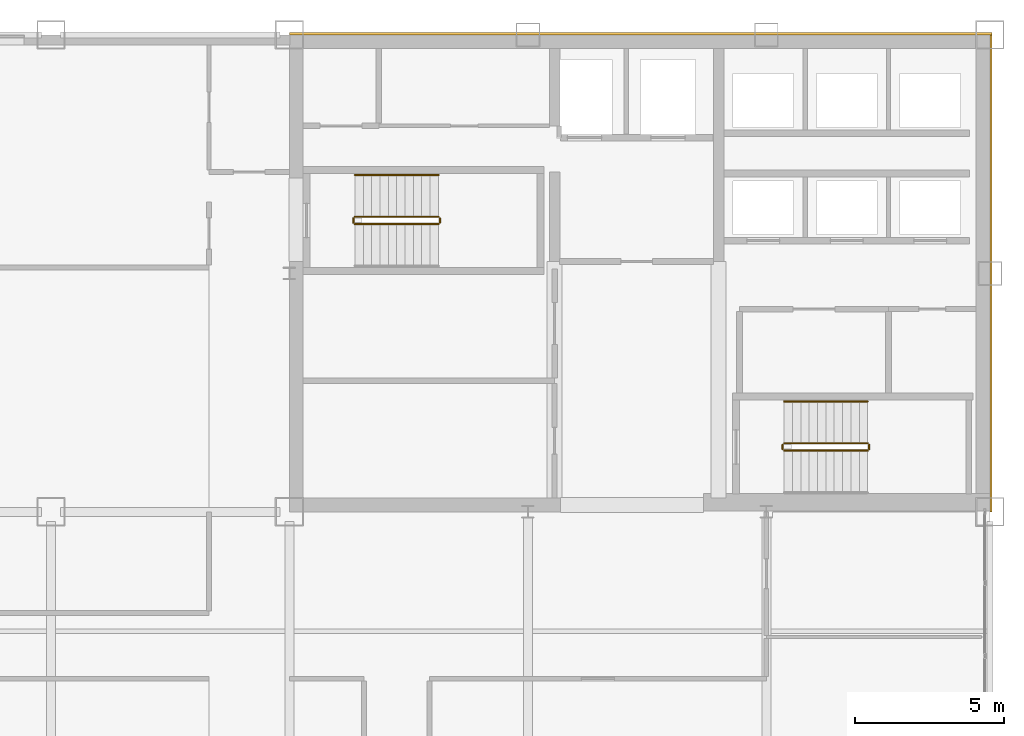
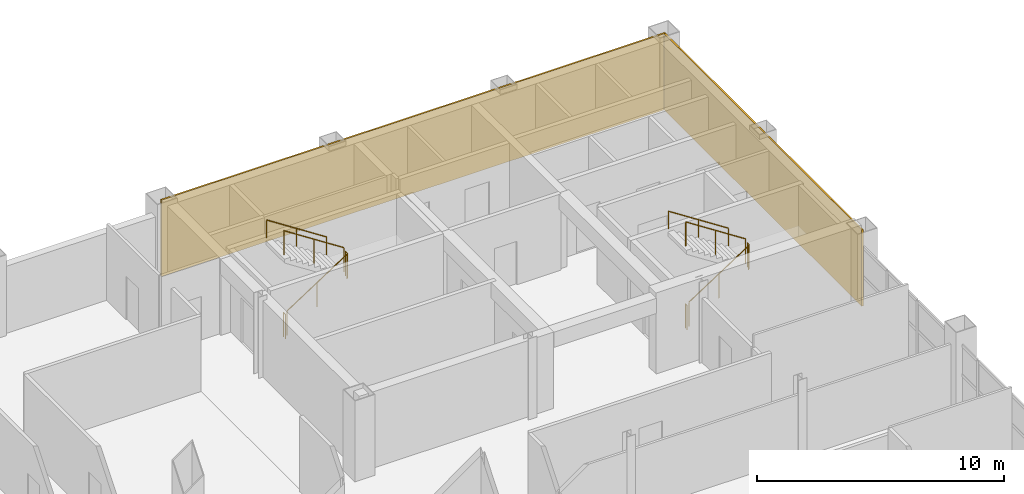
# One storey, part 12 of 12: 10 railings, 2 coverings.
"""IFC4 building model written with IfcOpenShell, lengths in metres."""

from ifc_helpers import new_model, si_unit, direction, frame, origin, origin_2d, place, context, subcontext, project, spatial, rectangle, circle, extrude, material, layer, layer_set, type_object, element, save


model = new_model("IFC4")

# Units and contexts
model_context = context("Model", 3, precision=1e-05, world=origin(), true_north=direction((0.0, 1.0)))
body_context = subcontext(model_context, "Body", "Model", "MODEL_VIEW")
ifc_project = project(units=[si_unit("LENGTHUNIT", "METRE"), si_unit("AREAUNIT", "SQUARE_METRE"), si_unit("VOLUMEUNIT", "CUBIC_METRE"), si_unit("PLANEANGLEUNIT", "RADIAN"), si_unit("MASSUNIT", "GRAM", prefix="KILO")], contexts=[model_context])

# Site, building, storey
site_placement = place(None, origin())
site = spatial("IfcSite", under=ifc_project, at=site_placement, CompositionType="ELEMENT")
building_placement = place(site_placement, origin())
building = spatial("IfcBuilding", under=site, at=building_placement, Name="Qianrong Seaharbour Tower", CompositionType="ELEMENT")
storey_placement = place(building_placement, frame((0.0, 0.0, 213.800048828125)))
storey = spatial("IfcBuildingStorey", under=building, at=storey_placement, Name="L51", CompositionType="ELEMENT", Elevation=213.800048828125)

# Coverings
ifc_material_1 = material(Name="Unitised red brick cladding on Precast concrete C45/55", Category="masonry")
ifc_layer = layer(ifc_material_1, 0.080078125)
ifc_layer_set = layer_set([ifc_layer], Name="Unitised red brick cladding on Precast concrete C45/55")
covering_type = type_object("IfcCoveringType", Name="COV-CLAD-RED-BRICK-80", PredefinedType="CLADDING", material=ifc_layer_set)
covering_1_placement = place(storey_placement, frame((52.2900390625, 52.0400390625, 0.0), z_axis=(0.0, 0.0, 1.0), x_axis=(1.0, 0.0, 0.0)))
element("IfcCovering", 1, at=covering_1_placement, inside=storey, type_object=covering_type, Name="L51 North Core Brick Veneer Cladding", PredefinedType="CLADDING", context=body_context, shape_type="SweptSolid", body=[
    extrude(rectangle(XDim=23.580078125, YDim=0.080078125, at=origin_2d()), origin(), (0.0, 0.0, 1.0), 3.77490234375),
])
covering_2_placement = place(storey_placement, frame((64.0400390625, 44.0, 0.0), z_axis=(0.0, 0.0, 1.0), x_axis=(1.0, 0.0, 0.0)))
element("IfcCovering", 2, at=covering_2_placement, inside=storey, type_object=covering_type, Name="L51 East Core Brick Veneer Cladding", PredefinedType="CLADDING", context=body_context, shape_type="SweptSolid", body=[
    extrude(rectangle(XDim=0.080078125, YDim=16.0, at=origin_2d()), origin(), (0.0, 0.0, 1.0), 3.77490234375),
])

# Railings
ifc_material_2 = material(Name="Galvanized painted steel SN400B stair guard", Category="steel")
railing_type_1 = type_object("IfcRailingType", Name="RAIL-STAIR-GUARD-1220", PredefinedType="GUARDRAIL", material=ifc_material_2)
railing_1_placement = place(storey_placement, frame((42.699951171875, 45.64990234375, 0.181884765625)))
element("IfcRailing", 3, at=railing_1_placement, inside=storey, type_object=railing_type_1, Name="L51 ST-1 stair guard 1", PredefinedType="GUARDRAIL", context=body_context, shape_type="SweptSolid", body=[
    extrude(circle(Radius=0.02392578125, at=origin_2d()), frame((0.0, 0.0, 1.19580078125), z_axis=(0.838705829183, 0.0, 0.544584733623), x_axis=(0.0, 1.0, 0.0)), (0.0, 0.0, 1.0), 3.338623046875),
    extrude(circle(Radius=0.02099609375, at=origin_2d()), origin(), (0.0, 0.0, 1.0), 1.171875),
    extrude(circle(Radius=0.02099609375, at=origin_2d()), frame((1.39990234375, 0.0, 0.9091796875)), (0.0, 0.0, 1.0), 1.171875),
    extrude(circle(Radius=0.02099609375, at=origin_2d()), frame((2.800048828125, 0.0, 1.818115234375)), (0.0, 0.0, 1.0), 1.171875),
])
railing_2_placement = place(storey_placement, frame((45.550048828125, 45.699951171875, 2.0)))
element("IfcRailing", 4, at=railing_2_placement, inside=storey, type_object=railing_type_1, Name="L51 ST-1 stair guard 2", PredefinedType="GUARDRAIL", context=body_context, shape_type="SweptSolid", body=[
    extrude(circle(Radius=0.02392578125, at=origin_2d()), frame((0.0, 0.0, 1.19580078125), z_axis=(0.0, 1.0, 0.0), x_axis=(-1.0, 0.0, 0.0)), (0.0, 0.0, 1.0), 0.150146484375),
    extrude(circle(Radius=0.02099609375, at=origin_2d()), origin(), (0.0, 0.0, 1.0), 1.171875),
    extrude(circle(Radius=0.02099609375, at=origin_2d()), frame((0.0, 0.150146484375, 0.0)), (0.0, 0.0, 1.0), 1.171875),
])
railing_3_placement = place(storey_placement, frame((45.5, 45.89990234375, 2.181884765625)))
element("IfcRailing", 5, at=railing_3_placement, inside=storey, type_object=railing_type_1, Name="L51 ST-1 stair guard 3", PredefinedType="GUARDRAIL", context=body_context, shape_type="SweptSolid", body=[
    extrude(circle(Radius=0.02392578125, at=origin_2d()), frame((0.0, 0.0, 1.19580078125), z_axis=(-0.838705829183, 0.0, 0.544584733623), x_axis=(0.0, -1.0, 0.0)), (0.0, 0.0, 1.0), 3.338623046875),
    extrude(circle(Radius=0.02099609375, at=origin_2d()), origin(), (0.0, 0.0, 1.0), 1.171875),
    extrude(circle(Radius=0.02099609375, at=origin_2d()), frame((-1.39990234375, 0.0, 0.9091796875)), (0.0, 0.0, 1.0), 1.171875),
    extrude(circle(Radius=0.02099609375, at=origin_2d()), frame((-2.800048828125, 0.0, 1.818115234375)), (0.0, 0.0, 1.0), 1.171875),
])
railing_4_placement = place(storey_placement, frame((42.64990234375, 45.699951171875, 0.0)))
element("IfcRailing", 6, at=railing_4_placement, inside=storey, type_object=railing_type_1, Name="L51 ST-1 stair guard 4", PredefinedType="GUARDRAIL", context=body_context, shape_type="SweptSolid", body=[
    extrude(circle(Radius=0.02392578125, at=origin_2d()), frame((0.0, 0.0, 1.19580078125), z_axis=(0.0, 1.0, 0.0), x_axis=(-1.0, 0.0, 0.0)), (0.0, 0.0, 1.0), 0.150146484375),
    extrude(circle(Radius=0.02099609375, at=origin_2d()), origin(), (0.0, 0.0, 1.0), 1.171875),
    extrude(circle(Radius=0.02099609375, at=origin_2d()), frame((0.0, 0.150146484375, 0.0)), (0.0, 0.0, 1.0), 1.171875),
])
railing_5_placement = place(storey_placement, frame((57.10009765625, 38.050048828125, 0.181884765625)))
element("IfcRailing", 7, at=railing_5_placement, inside=storey, type_object=railing_type_1, Name="L51 ST-2 stair guard 1", PredefinedType="GUARDRAIL", context=body_context, shape_type="SweptSolid", body=[
    extrude(circle(Radius=0.02392578125, at=origin_2d()), frame((0.0, 0.0, 1.19580078125), z_axis=(0.83868413941, 0.0, 0.544618136222), x_axis=(0.0, 1.0, 0.0)), (0.0, 0.0, 1.0), 3.33837890625),
    extrude(circle(Radius=0.02099609375, at=origin_2d()), origin(), (0.0, 0.0, 1.0), 1.171875),
    extrude(circle(Radius=0.02099609375, at=origin_2d()), frame((1.39990234375, 0.0, 0.9091796875)), (0.0, 0.0, 1.0), 1.171875),
    extrude(circle(Radius=0.02099609375, at=origin_2d()), frame((2.7998046875, 0.0, 1.818115234375)), (0.0, 0.0, 1.0), 1.171875),
])
railing_6_placement = place(storey_placement, frame((59.949951171875, 38.10009765625, 2.0)))
element("IfcRailing", 8, at=railing_6_placement, inside=storey, type_object=railing_type_1, Name="L51 ST-2 stair guard 2", PredefinedType="GUARDRAIL", context=body_context, shape_type="SweptSolid", body=[
    extrude(circle(Radius=0.02392578125, at=origin_2d()), frame((0.0, 0.0, 1.19580078125), z_axis=(0.0, 1.0, 0.0), x_axis=(-1.0, 0.0, 0.0)), (0.0, 0.0, 1.0), 0.14990234375),
    extrude(circle(Radius=0.02099609375, at=origin_2d()), origin(), (0.0, 0.0, 1.0), 1.171875),
    extrude(circle(Radius=0.02099609375, at=origin_2d()), frame((0.0, 0.14990234375, 0.0)), (0.0, 0.0, 1.0), 1.171875),
])
railing_7_placement = place(storey_placement, frame((59.89990234375, 38.300048828125, 2.181884765625)))
element("IfcRailing", 9, at=railing_7_placement, inside=storey, type_object=railing_type_1, Name="L51 ST-2 stair guard 3", PredefinedType="GUARDRAIL", context=body_context, shape_type="SweptSolid", body=[
    extrude(circle(Radius=0.02392578125, at=origin_2d()), frame((0.0, 0.0, 1.19580078125), z_axis=(-0.83868413941, 0.0, 0.544618136222), x_axis=(0.0, -1.0, 0.0)), (0.0, 0.0, 1.0), 3.33837890625),
    extrude(circle(Radius=0.02099609375, at=origin_2d()), origin(), (0.0, 0.0, 1.0), 1.171875),
    extrude(circle(Radius=0.02099609375, at=origin_2d()), frame((-1.39990234375, 0.0, 0.9091796875)), (0.0, 0.0, 1.0), 1.171875),
    extrude(circle(Radius=0.02099609375, at=origin_2d()), frame((-2.7998046875, 0.0, 1.818115234375)), (0.0, 0.0, 1.0), 1.171875),
])
railing_8_placement = place(storey_placement, frame((57.050048828125, 38.10009765625, 0.0)))
element("IfcRailing", 10, at=railing_8_placement, inside=storey, type_object=railing_type_1, Name="L51 ST-2 stair guard 4", PredefinedType="GUARDRAIL", context=body_context, shape_type="SweptSolid", body=[
    extrude(circle(Radius=0.02392578125, at=origin_2d()), frame((0.0, 0.0, 1.19580078125), z_axis=(0.0, 1.0, 0.0), x_axis=(-1.0, 0.0, 0.0)), (0.0, 0.0, 1.0), 0.14990234375),
    extrude(circle(Radius=0.02099609375, at=origin_2d()), origin(), (0.0, 0.0, 1.0), 1.171875),
    extrude(circle(Radius=0.02099609375, at=origin_2d()), frame((0.0, 0.14990234375, 0.0)), (0.0, 0.0, 1.0), 1.171875),
])
ifc_material_3 = material(Name="Stainless steel SUS316L continuous handrail", Category="steel")
railing_type_2 = type_object("IfcRailingType", Name="RAIL-STAIR-HANDRAIL-900", PredefinedType="HANDRAIL", material=ifc_material_3)
railing_9_placement = place(storey_placement, frame((45.5, 47.300048828125, 2.181884765625)))
element("IfcRailing", 11, at=railing_9_placement, inside=storey, type_object=railing_type_2, Name="L51 ST-1 stair handrail 2", PredefinedType="HANDRAIL", context=body_context, shape_type="SweptSolid", body=[
    extrude(circle(Radius=0.02392578125, at=origin_2d()), frame((0.0, 0.0, 0.8759765625), z_axis=(-0.838705829183, 0.0, 0.544584733623), x_axis=(0.0, -1.0, 0.0)), (0.0, 0.0, 1.0), 3.338623046875),
    extrude(circle(Radius=0.02099609375, at=origin_2d()), origin(), (0.0, 0.0, 1.0), 0.851806640625),
    extrude(circle(Radius=0.02099609375, at=origin_2d()), frame((-1.39990234375, 0.0, 0.9091796875)), (0.0, 0.0, 1.0), 0.851806640625),
    extrude(circle(Radius=0.02099609375, at=origin_2d()), frame((-2.800048828125, 0.0, 1.818115234375)), (0.0, 0.0, 1.0), 0.851806640625),
])
railing_10_placement = place(storey_placement, frame((59.89990234375, 39.699951171875, 2.181884765625)))
element("IfcRailing", 12, at=railing_10_placement, inside=storey, type_object=railing_type_2, Name="L51 ST-2 stair handrail 2", PredefinedType="HANDRAIL", context=body_context, shape_type="SweptSolid", body=[
    extrude(circle(Radius=0.02392578125, at=origin_2d()), frame((0.0, 0.0, 0.8759765625), z_axis=(-0.83868413941, 0.0, 0.544618136222), x_axis=(0.0, -1.0, 0.0)), (0.0, 0.0, 1.0), 3.33837890625),
    extrude(circle(Radius=0.02099609375, at=origin_2d()), origin(), (0.0, 0.0, 1.0), 0.851806640625),
    extrude(circle(Radius=0.02099609375, at=origin_2d()), frame((-1.39990234375, 0.0, 0.9091796875)), (0.0, 0.0, 1.0), 0.851806640625),
    extrude(circle(Radius=0.02099609375, at=origin_2d()), frame((-2.7998046875, 0.0, 1.818115234375)), (0.0, 0.0, 1.0), 0.851806640625),
])

save(model, "model.ifc")
